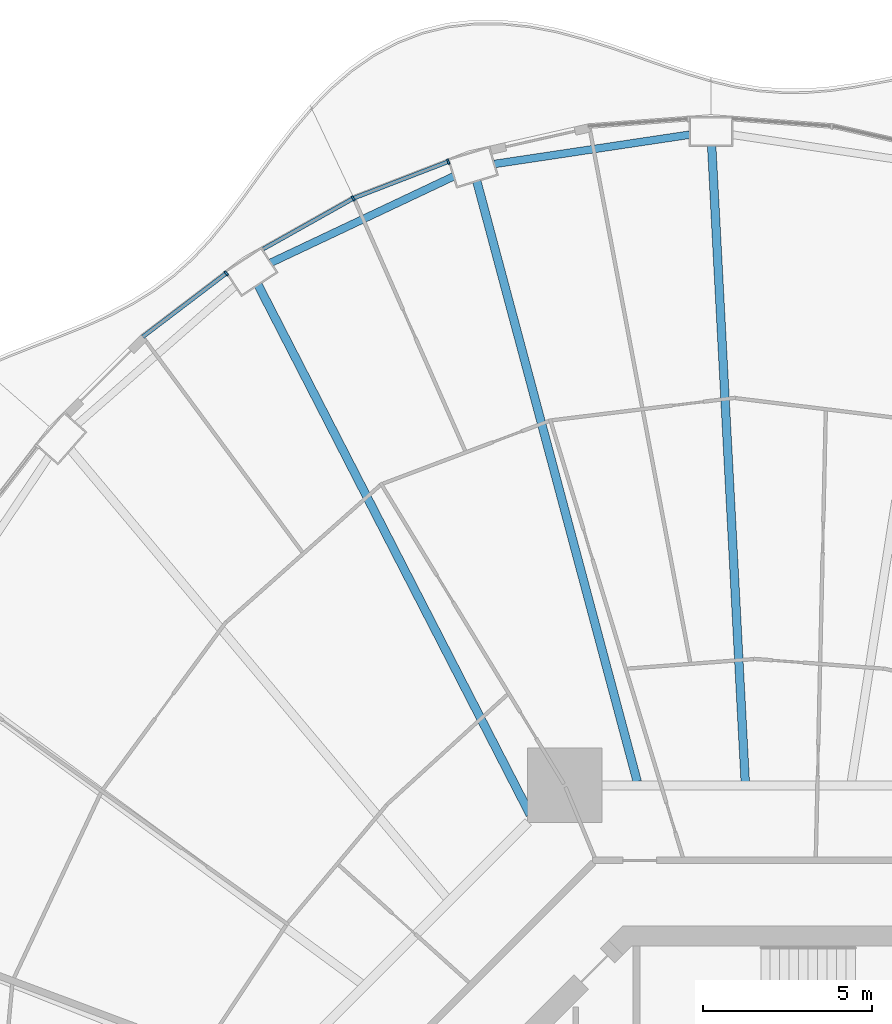
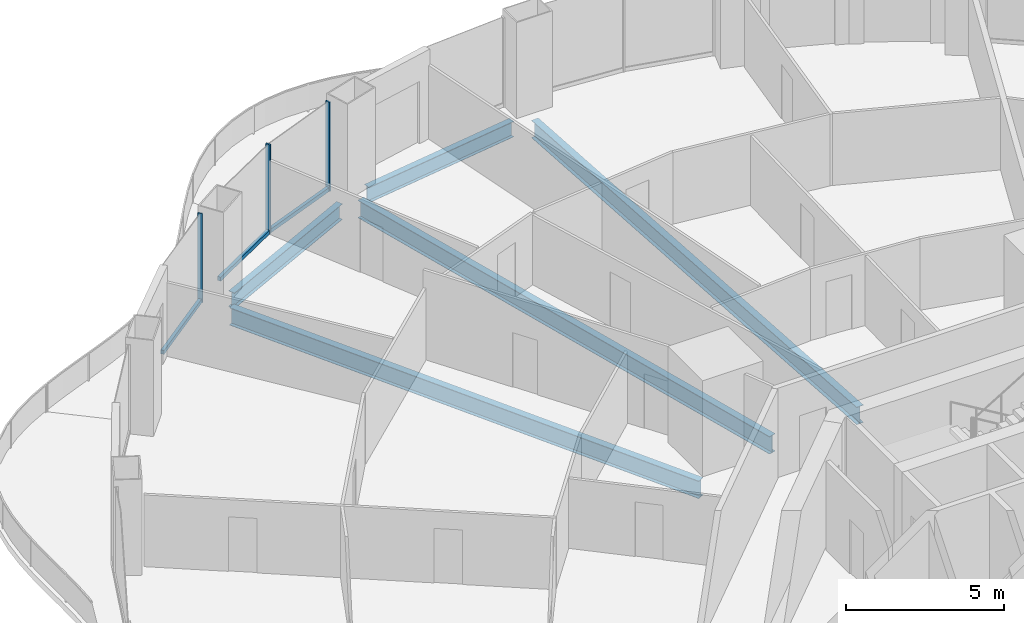
# One storey, part 9 of 22: 6 members, 5 beams, 3 elements without a shape of their own.
"""IFC4 building model written with IfcOpenShell, lengths in metres."""

import ifcopenshell
import ifcopenshell.guid

model = None  # the IFC model being written
_history = None  # IfcOwnerHistory: only IFC2X3 demands one
_inside = {}  # id of a spatial element -> (the spatial element, [elements in it])
_under = {}  # id of a project, library or spatial element -> (it, [spatial elements below it])
_declared = {}  # id of a project -> (the project, [libraries it declares])
_typed = {}  # id of a type object -> (the type object, [elements of that type])
_made_of = {}  # id of a material, layer set ... -> (it, [elements and type objects made of it])


def new_model(schema):
    """Start an empty IFC model of exactly this schema.

    Asked for "IFC4X3", IfcOpenShell would pick the latest addendum, in which some entities
    have other attributes; the version numbers below select the first issue.
    IFC2X3 requires an IfcOwnerHistory on every rooted entity: one is made here for all.
    """
    global model, _history
    if schema == "IFC4X3":
        model = ifcopenshell.file(schema_version=(4, 3, 0, 0))
    else:
        model = ifcopenshell.file(schema=schema)
    _inside.clear()
    _under.clear()
    _declared.clear()
    _typed.clear()
    _made_of.clear()
    _history = None
    if model.schema == "IFC2X3":
        org = make("IfcOrganization", Name="unknown")
        user = make(
            "IfcPersonAndOrganization",
            ThePerson=make("IfcPerson", FamilyName="unknown"),
            TheOrganization=org,
        )
        app = make(
            "IfcApplication",
            ApplicationDeveloper=org,
            Version="unknown",
            ApplicationFullName="unknown",
            ApplicationIdentifier="unknown",
        )
        _history = make(
            "IfcOwnerHistory",
            OwningUser=user,
            OwningApplication=app,
            ChangeAction="ADDED",
            CreationDate=0,
        )
    return model


def make(cls, **values):
    """One entity of the class cls with the attributes given. An attribute that is None is left unset."""
    return model.create_entity(
        cls, **{name: value for name, value in values.items() if value is not None}
    )


def rooted(cls, **values):
    """An entity with a GlobalId (a new one), such as an element, a storey or a relation."""
    return make(cls, GlobalId=ifcopenshell.guid.new(), OwnerHistory=_history, **values)


def si_unit(unit_type, name, prefix=None):
    """IfcSIUnit, for example si_unit("LENGTHUNIT", "METRE", prefix="MILLI")."""
    return make("IfcSIUnit", UnitType=unit_type, Prefix=prefix, Name=name)


def assignment(units):
    """IfcUnitAssignment: the units of a project."""
    return None if units is None else make("IfcUnitAssignment", Units=units)


def point(xyz):
    """IfcCartesianPoint."""
    return None if xyz is None else make("IfcCartesianPoint", Coordinates=xyz)


def direction(xyz):
    """IfcDirection."""
    return None if xyz is None else make("IfcDirection", DirectionRatios=xyz)


def frame(location, z_axis=None, x_axis=None):
    """IfcAxis2Placement3D, a coordinate frame: its origin and axes. An axis left out is left unset."""
    return make(
        "IfcAxis2Placement3D",
        Location=point(location),
        Axis=direction(z_axis),
        RefDirection=direction(x_axis),
    )


def frame_2d(location, x_axis=None):
    """IfcAxis2Placement2D, a coordinate frame in the plane: its origin and x axis."""
    return make(
        "IfcAxis2Placement2D", Location=point(location), RefDirection=direction(x_axis)
    )


def origin():
    """The frame at (0, 0, 0) with its axes left unset."""
    return frame((0.0, 0.0, 0.0))


def origin_2d():
    """The frame at (0, 0) in the plane with its x axis left unset."""
    return frame_2d((0.0, 0.0))


def place(relative_to, where):
    """IfcLocalPlacement: puts the frame where relative to a parent placement (None: the world)."""
    return make(
        "IfcLocalPlacement", PlacementRelTo=relative_to, RelativePlacement=where
    )


def context(
    kind, dimensions, precision=None, world=None, true_north=None, identifier=None
):
    """IfcGeometricRepresentationContext, for example the 3D "Model" context."""
    return make(
        "IfcGeometricRepresentationContext",
        ContextIdentifier=identifier,
        ContextType=kind,
        CoordinateSpaceDimension=dimensions,
        Precision=precision,
        WorldCoordinateSystem=world,
        TrueNorth=true_north,
    )


def subcontext(parent, identifier, kind, view, scale=None):
    """IfcGeometricRepresentationSubContext, for example "Body" below "Model"."""
    return make(
        "IfcGeometricRepresentationSubContext",
        ContextIdentifier=identifier,
        ContextType=kind,
        ParentContext=parent,
        TargetScale=scale,
        TargetView=view,
    )


def project(units=None, contexts=None):
    """IfcProject with its units and contexts."""
    return rooted(
        "IfcProject",
        Name="project",
        RepresentationContexts=contexts,
        UnitsInContext=assignment(units),
    )


def spatial(cls, under=None, at=None, **own):
    """A site, building, storey or space (cls), placed at a placement, below another one or the project."""
    s = rooted(cls, ObjectPlacement=at, **own)
    if under is not None:
        _under.setdefault(under.id(), (under, []))[1].append(s)
    return s


def profile(cls, at=None, kind="AREA", **sizes):
    """A parametric profile (cls). Its sizes go by their IFC names, for example OverallWidth=200.0."""
    return make(cls, ProfileType=kind, Position=at, **sizes)


def rectangle(**sizes):
    """IfcRectangleProfileDef."""
    return profile("IfcRectangleProfileDef", **sizes)


def i_section(**sizes):
    """IfcIShapeProfileDef."""
    return profile("IfcIShapeProfileDef", **sizes)


def extrude(swept, where, along, depth):
    """IfcExtrudedAreaSolid: the profile swept, set in the frame where, extruded along a direction by depth."""
    return make(
        "IfcExtrudedAreaSolid",
        SweptArea=swept,
        Position=where,
        ExtrudedDirection=direction(along),
        Depth=depth,
    )


def shape(context_of_items, identifier, shape_type, items):
    """IfcShapeRepresentation: the items that make up one representation, for example the "Body"."""
    return make(
        "IfcShapeRepresentation",
        ContextOfItems=context_of_items,
        RepresentationIdentifier=identifier,
        RepresentationType=shape_type,
        Items=items,
    )


def material(Name=None, Category=None):
    """IfcMaterial."""
    return make("IfcMaterial", Name=Name, Category=Category)


def layer(
    of_material, thickness, ventilated=None, Name=None, Category=None, Priority=None
):
    """IfcMaterialLayer: one layer of a wall or slab, of a material (None: an air gap)."""
    return make(
        "IfcMaterialLayer",
        Material=of_material,
        LayerThickness=thickness,
        IsVentilated=ventilated,
        Name=Name,
        Category=Category,
        Priority=Priority,
    )


def layer_set(layers, Name=None):
    """IfcMaterialLayerSet."""
    return make("IfcMaterialLayerSet", MaterialLayers=layers, LayerSetName=Name)


def material_profile(
    of_material, cross_section, Name=None, Category=None, Priority=None
):
    """IfcMaterialProfile: a cross section and its material."""
    return make(
        "IfcMaterialProfile",
        Name=Name,
        Material=of_material,
        Profile=cross_section,
        Priority=Priority,
        Category=Category,
    )


def profile_set(profiles, Name=None, composite=None):
    """IfcMaterialProfileSet."""
    return make(
        "IfcMaterialProfileSet",
        Name=Name,
        MaterialProfiles=profiles,
        CompositeProfile=composite,
    )


def made_of(thing, what):
    """Note that an element or type object is made of a material, layer set ...; save() writes the relation."""
    if what is not None:
        _made_of.setdefault(what.id(), (what, []))[1].append(thing)
    return thing


def type_object(cls, material=None, **own):
    """A type object (cls), such as IfcWallType, which elements share."""
    return made_of(rooted(cls, **own), material)


def element(
    cls,
    number,
    at=None,
    inside=None,
    cuts=None,
    type_object=None,
    material=None,
    context=None,
    identifier="Body",
    shape_type=None,
    held_by="IfcProductDefinitionShape",
    body=None,
    shapes=None,
    **own,
):
    """One element of the class cls, such as IfcWall. Its Tag is "e" and its number.

    at: its placement. inside: the storey or other place that contains it. cuts: it is an
    opening in that element (IfcRelVoidsElement). A single representation is given by context,
    identifier, shape_type and body (its items); several are given by shapes. held_by: the class
    of the entity that holds the representations. save() writes the other relations.
    """
    e = rooted(cls, Tag="e%d" % number, ObjectPlacement=at, **own)
    if body is not None:
        shapes = [shape(context, identifier, shape_type, body)]
    if shapes is not None:
        e.Representation = make(held_by, Representations=shapes)
    if inside is not None:
        _inside.setdefault(inside.id(), (inside, []))[1].append(e)
    if cuts is not None:
        rooted(
            "IfcRelVoidsElement", RelatingBuildingElement=cuts, RelatedOpeningElement=e
        )
    if type_object is not None:
        _typed.setdefault(type_object.id(), (type_object, []))[1].append(e)
    return made_of(e, material)


def aggregate(whole, parts):
    """IfcRelAggregates: a whole, such as a stair, and the parts it consists of."""
    return rooted("IfcRelAggregates", RelatingObject=whole, RelatedObjects=parts)


def save(model, path):
    """Write the relations noted so far, then the file.

    IfcRelAggregates (storeys below a building ...), IfcRelContainedInSpatialStructure (elements
    in a storey), IfcRelDefinesByType, IfcRelAssociatesMaterial and IfcRelDeclares: one each for
    every whole, place, type object, material and project.
    """
    for whole, parts in _under.values():
        aggregate(whole, parts)
    for where, things in _inside.values():
        rooted(
            "IfcRelContainedInSpatialStructure",
            RelatedElements=things,
            RelatingStructure=where,
        )
    for kind, things in _typed.values():
        rooted("IfcRelDefinesByType", RelatedObjects=things, RelatingType=kind)
    for what, things in _made_of.values():
        rooted("IfcRelAssociatesMaterial", RelatedObjects=things, RelatingMaterial=what)
    for by, libraries in _declared.values():
        rooted("IfcRelDeclares", RelatingContext=by, RelatedDefinitions=libraries)
    model.write(path)


model = new_model("IFC4")

# Units and contexts
model_context = context("Model", 3, precision=1e-05, world=origin(), true_north=direction((0.0, 1.0)))
body_context = subcontext(model_context, "Body", "Model", "MODEL_VIEW")
ifc_project = project(units=[si_unit("LENGTHUNIT", "METRE"), si_unit("AREAUNIT", "SQUARE_METRE"), si_unit("VOLUMEUNIT", "CUBIC_METRE"), si_unit("PLANEANGLEUNIT", "RADIAN"), si_unit("MASSUNIT", "GRAM", prefix="KILO")], contexts=[model_context])

# Site, building, storey
site_placement = place(None, origin())
site = spatial("IfcSite", under=ifc_project, at=site_placement, CompositionType="ELEMENT")
building_placement = place(site_placement, origin())
building = spatial("IfcBuilding", under=site, at=building_placement, Name="Nagisa Residences", CompositionType="ELEMENT")
storey_placement = place(building_placement, frame((0.0, 0.0, 88.10009765625)))
storey = spatial("IfcBuildingStorey", under=building, at=storey_placement, Name="L21", CompositionType="ELEMENT", Elevation=88.10009765625)

# Curtain wall, member
ifc_material_1 = material(Name="Concrete-coloured aluminium curtain wall system", Category="concrete")
ifc_layer = layer(ifc_material_1, 0.159912109375)
ifc_layer_set = layer_set([ifc_layer], Name="CW1 CURTAIN WALL")
curtain_wall_type = type_object("IfcCurtainWallType", Name="CW1 CURTAIN WALL", PredefinedType="NOTDEFINED", material=ifc_layer_set)
curtain_wall_1_placement = place(storey_placement, origin())
curtain_wall_1 = element("IfcCurtainWall", 1, at=curtain_wall_1_placement, inside=storey, type_object=curtain_wall_type, Name="cw:CW1:L21:14", PredefinedType="NOTDEFINED")
ifc_material_2 = material(Name="Concrete-coloured aluminium", Category="concrete")
ifc_material_profile_1 = material_profile(ifc_material_2, rectangle(XDim=0.159912109375, YDim=0.06005859375, at=origin_2d()), Name="CW1 MULLION 160x60")
ifc_profile_set_1 = profile_set([ifc_material_profile_1], Name="Concrete-coloured aluminium")
member_type_1 = type_object("IfcMemberType", Name="CW1 MULLION 160x60", PredefinedType="MULLION", material=ifc_profile_set_1)
member_1_placement = place(storey_placement, frame((-9.573486328125, 33.2392578125, 0.0), z_axis=(0.0, 0.0, 1.0), x_axis=(0.360327770268, -0.932825759707, 0.0)))
member_1 = element("IfcMember", 2, at=member_1_placement, type_object=member_type_1, Name="CW1 mullion", PredefinedType="MULLION", context=body_context, shape_type="SweptSolid", body=[
    extrude(rectangle(XDim=0.159912109375, YDim=0.06005859375, at=origin_2d()), origin(), (0.0, 0.0, 1.0), 3.43994140625),
])

curtain_wall_2_placement = place(storey_placement, origin())
curtain_wall_2 = element("IfcCurtainWall", 3, at=curtain_wall_2_placement, inside=storey, type_object=curtain_wall_type, Name="cw:CW1:L21:15", PredefinedType="NOTDEFINED")
member_2_placement = place(storey_placement, frame((-12.385498046875, 32.1494140625, 0.0), z_axis=(0.0, 0.0, 1.0), x_axis=(0.489376918501, -0.872072377523, 0.0)))
member_2 = element("IfcMember", 4, at=member_2_placement, type_object=member_type_1, Name="CW1 mullion", PredefinedType="MULLION", context=body_context, shape_type="SweptSolid", body=[
    extrude(rectangle(XDim=0.159912109375, YDim=0.06005859375, at=origin_2d()), origin(), (0.0, 0.0, 1.0), 3.43994140625),
])

curtain_wall_3_placement = place(storey_placement, origin())
curtain_wall_3 = element("IfcCurtainWall", 5, at=curtain_wall_3_placement, inside=storey, type_object=curtain_wall_type, Name="cw:CW1:L21:16", PredefinedType="NOTDEFINED")
member_3_placement = place(storey_placement, frame((-16.140380859375, 29.935302734375, 0.0), z_axis=(0.0, 0.0, 1.0), x_axis=(0.605255421737, -0.79603132756, 0.0)))
member_3 = element("IfcMember", 6, at=member_3_placement, type_object=member_type_1, Name="CW1 mullion", PredefinedType="MULLION", context=body_context, shape_type="SweptSolid", body=[
    extrude(rectangle(XDim=0.159912109375, YDim=0.06005859375, at=origin_2d()), origin(), (0.0, 0.0, 1.0), 3.43994140625),
])

# Member
ifc_material_3 = material(Name="Concrete-coloured aluminium", Category="concrete")
ifc_material_profile_2 = material_profile(ifc_material_3, rectangle(XDim=0.1201171875, YDim=0.14990234375, at=origin_2d()), Name="CW1 TRANSOM 120x150")
ifc_profile_set_2 = profile_set([ifc_material_profile_2], Name="Concrete-coloured aluminium")
member_type_2 = type_object("IfcMemberType", Name="CW1 TRANSOM 120x150", PredefinedType="USERDEFINED", material=ifc_profile_set_2)
member_4_placement = place(storey_placement, frame((-9.54541015625, 33.25, 0.074951171875), z_axis=(-0.932837560624, -0.360297218263, 0.0), x_axis=(0.360297218263, -0.932837560624, 0.0)))
member_4 = element("IfcMember", 7, at=member_4_placement, type_object=member_type_2, Name="CW1 transom", ObjectType="TRANSOM", PredefinedType="USERDEFINED", context=body_context, shape_type="SweptSolid", body=[
    extrude(rectangle(XDim=0.1201171875, YDim=0.14990234375, at=origin_2d()), origin(), (0.0, 0.0, 1.0), 3.027587890625),
])

aggregate(curtain_wall_1, [member_1, member_4])

member_5_placement = place(storey_placement, frame((-12.359375, 32.1640625, 0.074951171875), z_axis=(-0.872037280335, -0.489439456631, 0.0), x_axis=(0.489439456631, -0.872037280335, 0.0)))
member_5 = element("IfcMember", 8, at=member_5_placement, type_object=member_type_2, Name="CW1 transom", ObjectType="TRANSOM", PredefinedType="USERDEFINED", context=body_context, shape_type="SweptSolid", body=[
    extrude(rectangle(XDim=0.1201171875, YDim=0.14990234375, at=origin_2d()), origin(), (0.0, 0.0, 1.0), 3.07568359375),
])

aggregate(curtain_wall_2, [member_2, member_5])

member_6_placement = place(storey_placement, frame((-16.116455078125, 29.953369140625, 0.074951171875), z_axis=(-0.796066111963, -0.605209670598, 0.0), x_axis=(0.605209670598, -0.796066111963, 0.0)))
member_6 = element("IfcMember", 9, at=member_6_placement, type_object=member_type_2, Name="CW1 transom", ObjectType="TRANSOM", PredefinedType="USERDEFINED", context=body_context, shape_type="SweptSolid", body=[
    extrude(rectangle(XDim=0.1201171875, YDim=0.14990234375, at=origin_2d()), origin(), (0.0, 0.0, 1.0), 3.134033203125),
])

aggregate(curtain_wall_3, [member_3, member_6])

# Beams
ifc_material_4 = material(Name="Steel ASTM A572 Gr 50", Category="steel")
ifc_material_profile_3 = material_profile(ifc_material_4, i_section(OverallWidth=0.22802734375, OverallDepth=0.60302734375, WebThickness=0.010498046875, FlangeThickness=0.014892578125, at=origin_2d()), Name="W610x101")
ifc_profile_set_3 = profile_set([ifc_material_profile_3], Name="Steel ASTM A572 Gr 50")
beam_type_1 = type_object("IfcBeamType", Name="Perimeter ring beam W610x101", PredefinedType="BEAM", material=ifc_profile_set_3)
beam_1_placement = place(storey_placement, frame((-2.43017578125, 34.0380859375, -0.5615234375), z_axis=(-0.988913048607, -0.148495731568, 0.0), x_axis=(0.148495731568, -0.988913048607, 0.0)))
element("IfcBeam", 10, at=beam_1_placement, inside=storey, type_object=beam_type_1, Name="beam:L21:pb07", PredefinedType="BEAM", context=body_context, shape_type="SweptSolid", body=[
    extrude(i_section(OverallWidth=0.22802734375, OverallDepth=0.60302734375, WebThickness=0.010498046875, FlangeThickness=0.014892578125, at=origin_2d()), origin(), (0.0, 0.0, 1.0), 5.843017578125),
])
beam_2_placement = place(storey_placement, frame((-9.41455078125, 32.8037109375, -0.5615234375), z_axis=(-0.90418952838, -0.427131474804, 0.0), x_axis=(0.427131474804, -0.90418952838, 0.0)))
element("IfcBeam", 11, at=beam_2_placement, inside=storey, type_object=beam_type_1, Name="beam:L21:pb08", PredefinedType="BEAM", context=body_context, shape_type="SweptSolid", body=[
    extrude(i_section(OverallWidth=0.22802734375, OverallDepth=0.60302734375, WebThickness=0.010498046875, FlangeThickness=0.014892578125, at=origin_2d()), origin(), (0.0, 0.0, 1.0), 5.98046875),
])
ifc_material_5 = material(Name="Steel ASTM A572 Gr 50", Category="steel")
ifc_material_profile_4 = material_profile(ifc_material_5, i_section(OverallWidth=0.2529296875, OverallDepth=0.677978515625, WebThickness=0.01171875, FlangeThickness=0.016357421875, at=origin_2d()), Name="W690x125")
ifc_profile_set_4 = profile_set([ifc_material_profile_4], Name="Steel ASTM A572 Gr 50")
beam_type_2 = type_object("IfcBeamType", Name="Radial beam W690x125", PredefinedType="BEAM", material=ifc_profile_set_4)
beam_3_placement = place(storey_placement, frame((-1.77734375, 33.70263671875, -0.59912109375), z_axis=(0.05266700958, -0.998612129959, 0.0), x_axis=(0.998612129959, 0.05266700958, 0.0)))
element("IfcBeam", 12, at=beam_3_placement, inside=storey, type_object=beam_type_2, Name="beam:L21:rb07", PredefinedType="BEAM", context=body_context, shape_type="SweptSolid", body=[
    extrude(i_section(OverallWidth=0.2529296875, OverallDepth=0.677978515625, WebThickness=0.01171875, FlangeThickness=0.016357421875, at=origin_2d()), origin(), (0.0, 0.0, 1.0), 18.834228515625),
])
beam_4_placement = place(storey_placement, frame((-8.7275390625, 32.66015625, -0.59912109375), z_axis=(0.258170831181, -0.96609928161, 0.0), x_axis=(0.96609928161, 0.258170831181, 0.0)))
element("IfcBeam", 13, at=beam_4_placement, inside=storey, type_object=beam_type_2, Name="beam:L21:rb08", PredefinedType="BEAM", context=body_context, shape_type="SweptSolid", body=[
    extrude(i_section(OverallWidth=0.2529296875, OverallDepth=0.677978515625, WebThickness=0.01171875, FlangeThickness=0.016357421875, at=origin_2d()), origin(), (0.0, 0.0, 1.0), 18.38818359375),
])
beam_5_placement = place(storey_placement, frame((-15.199951171875, 29.5927734375, -0.59912109375), z_axis=(0.456890609608, -0.889522889448, 0.0), x_axis=(0.889522889448, 0.456890609608, 0.0)))
element("IfcBeam", 14, at=beam_5_placement, inside=storey, type_object=beam_type_2, Name="beam:L21:rb09", PredefinedType="BEAM", context=body_context, shape_type="SweptSolid", body=[
    extrude(i_section(OverallWidth=0.2529296875, OverallDepth=0.677978515625, WebThickness=0.01171875, FlangeThickness=0.016357421875, at=origin_2d()), origin(), (0.0, 0.0, 1.0), 17.622314453125),
])

save(model, "model.ifc")
